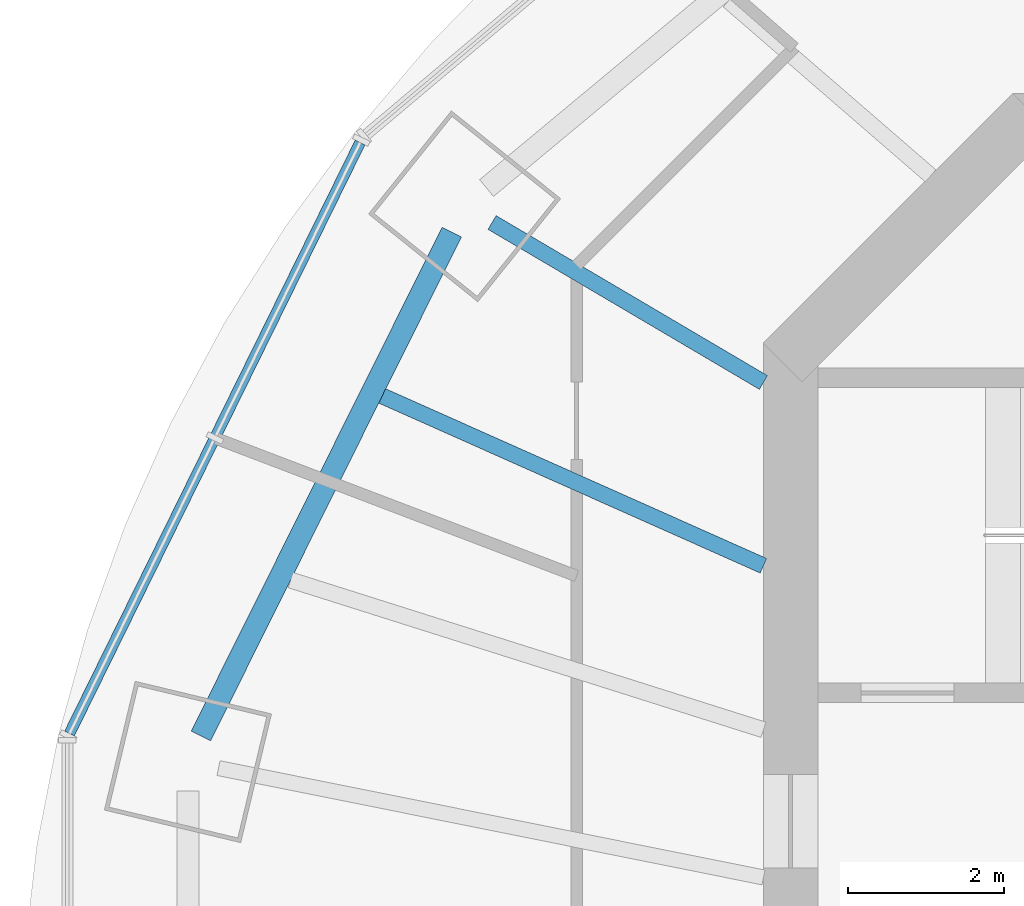
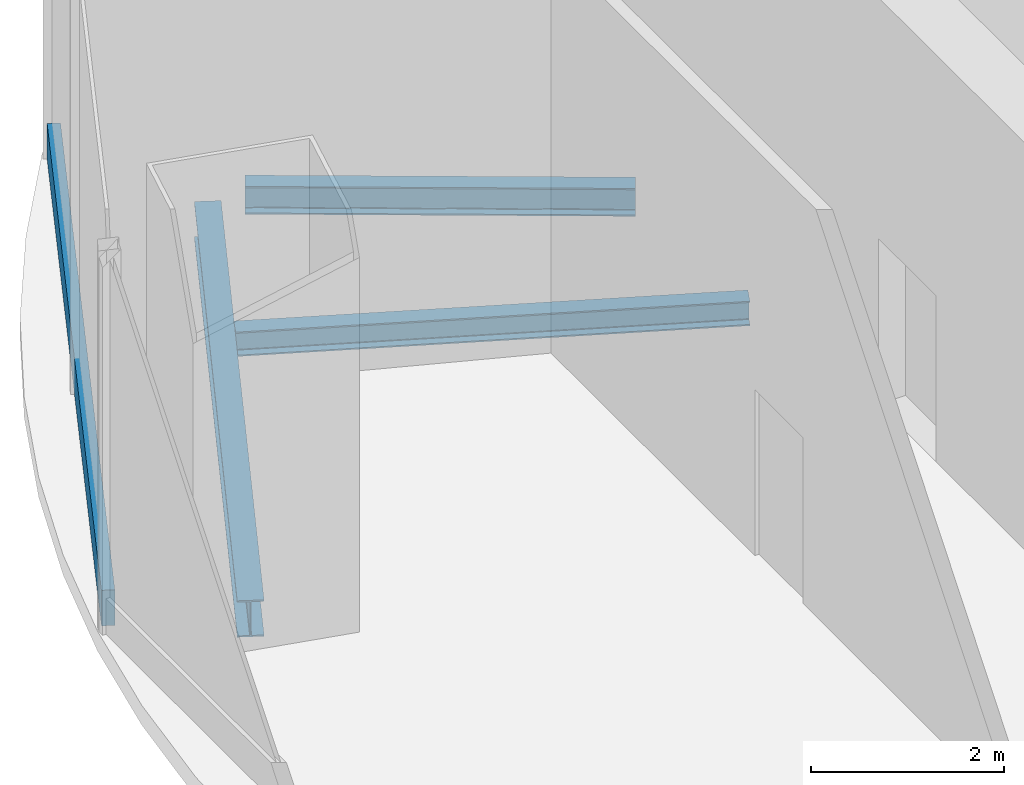
# One storey, part 3 of 11: 3 beams, 1 member, 1 element without a shape of its own.
"""IFC4 building model written with IfcOpenShell, lengths in metres."""

from ifc_helpers import new_model, si_unit, direction, frame, origin, origin_2d, place, context, subcontext, project, spatial, rectangle, i_section, extrude, material, material_profile, profile_set, type_object, element, aggregate, save


model = new_model("IFC4")

# Units and contexts
model_context = context("Model", 3, precision=1e-05, world=origin(), true_north=direction((0.0, 1.0)))
body_context = subcontext(model_context, "Body", "Model", "MODEL_VIEW")
ifc_project = project(units=[si_unit("LENGTHUNIT", "METRE"), si_unit("AREAUNIT", "SQUARE_METRE"), si_unit("VOLUMEUNIT", "CUBIC_METRE"), si_unit("PLANEANGLEUNIT", "RADIAN"), si_unit("MASSUNIT", "GRAM", prefix="KILO")], contexts=[model_context])

# Site, building, storey
site_placement = place(None, origin())
site = spatial("IfcSite", under=ifc_project, at=site_placement, CompositionType="ELEMENT")
building_placement = place(site_placement, origin())
building = spatial("IfcBuilding", under=site, at=building_placement, Name="Marenthal Gate Tower", CompositionType="ELEMENT")
storey_placement = place(building_placement, frame((0.0, 0.0, 396.550048828125)))
storey = spatial("IfcBuildingStorey", under=building, at=storey_placement, Name="L90", CompositionType="ELEMENT", Elevation=396.550048828125)

# Curtain wall, member
ifc_material_1 = material(Name="Aluminium and glass", Category="aluminium")
curtain_wall_type = type_object("IfcCurtainWallType", Name="Curtain wall observation", PredefinedType="NOTDEFINED", material=ifc_material_1)
curtain_wall_placement = place(storey_placement, origin())
curtain_wall = element("IfcCurtainWall", 1, at=curtain_wall_placement, inside=storey, type_object=curtain_wall_type, Name="Curtain wall L90 bay 7", PredefinedType="NOTDEFINED")
ifc_material_2 = material(Name="Aluminium", Category="aluminium")
ifc_material_profile_1 = material_profile(ifc_material_2, rectangle(XDim=0.139892578125, YDim=0.449951171875, at=origin_2d()), Name="140x450 aluminium transom")
ifc_profile_set_1 = profile_set([ifc_material_profile_1], Name="Aluminium")
member_type = type_object("IfcMemberType", Name="Transom 140x450 observation", PredefinedType="USERDEFINED", material=ifc_profile_set_1)
member_placement = place(storey_placement, frame((-21.531494140625, 12.7197265625, 0.224853515625), z_axis=(-0.441246116327, -0.89738612917, 0.0), x_axis=(0.89738612917, -0.441246116327, 0.0)))
member = element("IfcMember", 2, at=member_placement, type_object=member_type, Name="Transom L90 bay 7", ObjectType="TRANSOM", PredefinedType="USERDEFINED", context=body_context, shape_type="SweptSolid", body=[
    extrude(rectangle(XDim=0.139892578125, YDim=0.449951171875, at=origin_2d()), origin(), (0.0, 0.0, 1.0), 8.458251953125),
])
aggregate(curtain_wall, [member])

# Beams
ifc_material_3 = material(Name="Steel S355", Category="steel")
ifc_material_profile_2 = material_profile(ifc_material_3, i_section(OverallWidth=0.205078125, OverallDepth=0.31005859375, WebThickness=0.009521484375, FlangeThickness=0.016357421875, FilletRadius=0.0126953125, at=origin_2d()), Name="W310X74")
ifc_profile_set_2 = profile_set([ifc_material_profile_2], Name="Steel S355")
beam_type_1 = type_object("IfcBeamType", Name="W310X74 beam", PredefinedType="BEAM", material=ifc_profile_set_2)
beam_1_placement = place(storey_placement, frame((-21.24609375, 9.46435546875, -0.405029296875), z_axis=(0.913454311323, -0.40694129936, 0.0), x_axis=(0.40694129936, 0.913454311323, 0.0)))
element("IfcBeam", 3, at=beam_1_placement, inside=storey, type_object=beam_type_1, Name="BM-L90-25", PredefinedType="BEAM", context=body_context, shape_type="SweptSolid", body=[
    extrude(i_section(OverallWidth=0.205078125, OverallDepth=0.31005859375, WebThickness=0.009521484375, FlangeThickness=0.016357421875, FilletRadius=0.0126953125, at=origin_2d()), origin(), (0.0, 0.0, 1.0), 5.35986328125),
])
ifc_material_4 = material(Name="Steel S355", Category="steel")
ifc_material_profile_3 = material_profile(ifc_material_4, i_section(OverallWidth=0.205078125, OverallDepth=0.35302734375, WebThickness=0.009521484375, FlangeThickness=0.016845703125, FilletRadius=0.014892578125, at=origin_2d()), Name="W360X79")
ifc_profile_set_3 = profile_set([ifc_material_profile_3], Name="Steel S355")
beam_type_2 = type_object("IfcBeamType", Name="W360X79 beam", PredefinedType="BEAM", material=ifc_profile_set_3)
beam_2_placement = place(storey_placement, frame((-19.836181640625, 11.6923828125, -0.426513671875), z_axis=(0.861470125901, -0.507808253359, 0.0), x_axis=(0.507808253359, 0.861470125901, 0.0)))
element("IfcBeam", 4, at=beam_2_placement, inside=storey, type_object=beam_type_2, Name="BM-L90-07", PredefinedType="BEAM", context=body_context, shape_type="SweptSolid", body=[
    extrude(i_section(OverallWidth=0.205078125, OverallDepth=0.35302734375, WebThickness=0.009521484375, FlangeThickness=0.016845703125, FilletRadius=0.014892578125, at=origin_2d()), origin(), (0.0, 0.0, 1.0), 4.046630859375),
])
ifc_material_5 = material(Name="Steel S355", Category="steel")
ifc_material_profile_4 = material_profile(ifc_material_5, i_section(OverallWidth=0.279052734375, OverallDepth=0.4619140625, WebThickness=0.0107421875, FlangeThickness=0.017333984375, FilletRadius=0.010009765625, at=origin_2d()), Name="W460X113")
ifc_profile_set_4 = profile_set([ifc_material_profile_4], Name="Steel S355")
beam_type_3 = type_object("IfcBeamType", Name="W460X113 beam", PredefinedType="BEAM", material=ifc_profile_set_4)
beam_3_placement = place(storey_placement, frame((-20.35400390625, 11.569091796875, -0.48095703125), z_axis=(-0.445686804831, -0.895188958824, 0.0), x_axis=(0.895188958824, -0.445686804831, 0.0)))
element("IfcBeam", 5, at=beam_3_placement, inside=storey, type_object=beam_type_3, Name="BM-L90-44", PredefinedType="BEAM", context=body_context, shape_type="SweptSolid", body=[
    extrude(i_section(OverallWidth=0.279052734375, OverallDepth=0.4619140625, WebThickness=0.0107421875, FlangeThickness=0.017333984375, FilletRadius=0.010009765625, at=origin_2d()), origin(), (0.0, 0.0, 1.0), 7.230712890625),
])

save(model, "model.ifc")
